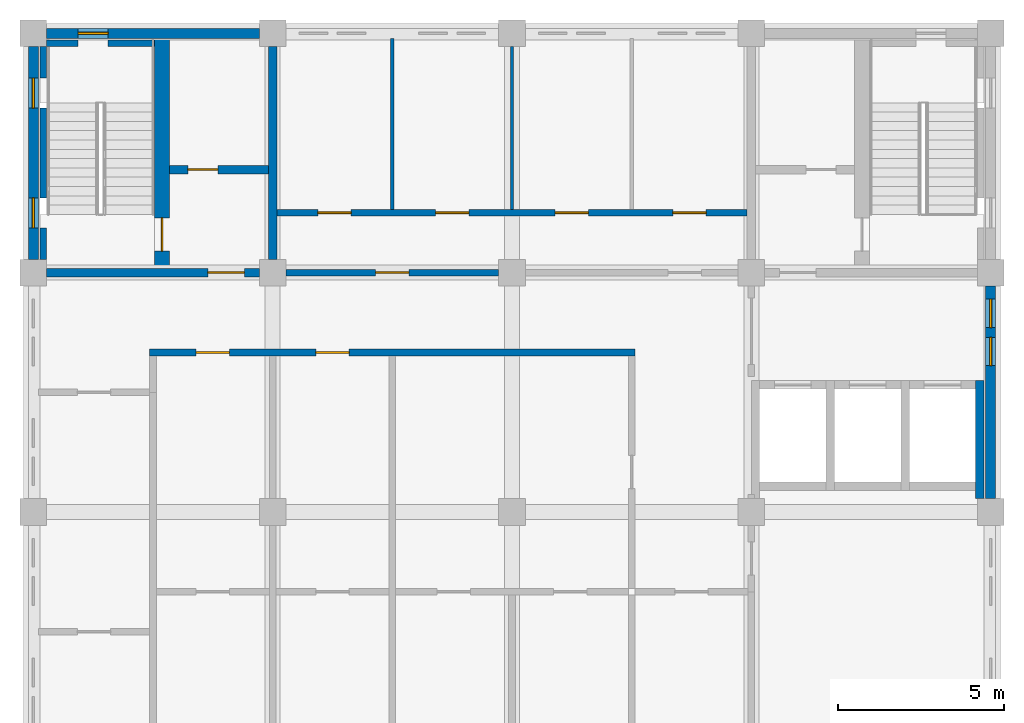
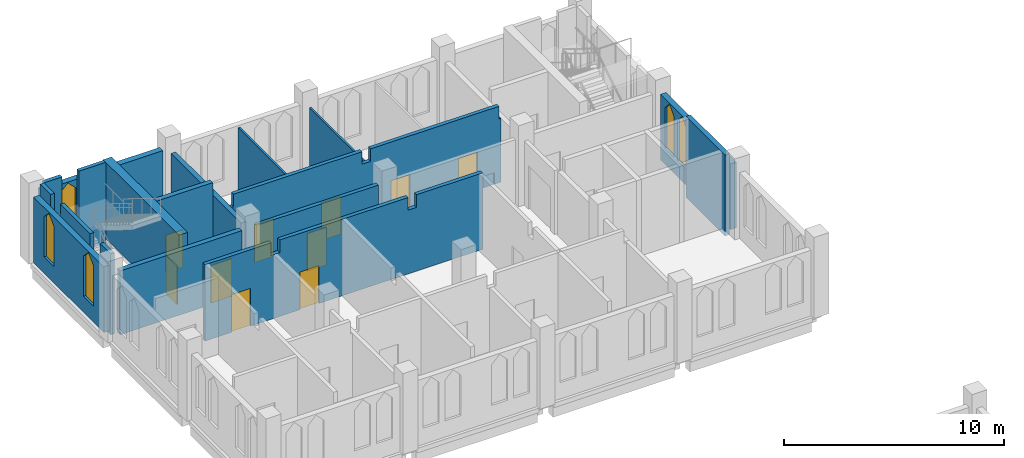
# One storey, part 7 of 11: 18 walls, 10 doors, 5 windows, 15 openings.
"""IFC4 building model written with IfcOpenShell, lengths in metres."""

import ifcopenshell
import ifcopenshell.guid

model = None  # the IFC model being written
_history = None  # IfcOwnerHistory: only IFC2X3 demands one
_inside = {}  # id of a spatial element -> (the spatial element, [elements in it])
_under = {}  # id of a project, library or spatial element -> (it, [spatial elements below it])
_declared = {}  # id of a project -> (the project, [libraries it declares])
_typed = {}  # id of a type object -> (the type object, [elements of that type])
_made_of = {}  # id of a material, layer set ... -> (it, [elements and type objects made of it])


def new_model(schema):
    """Start an empty IFC model of exactly this schema.

    Asked for "IFC4X3", IfcOpenShell would pick the latest addendum, in which some entities
    have other attributes; the version numbers below select the first issue.
    IFC2X3 requires an IfcOwnerHistory on every rooted entity: one is made here for all.
    """
    global model, _history
    if schema == "IFC4X3":
        model = ifcopenshell.file(schema_version=(4, 3, 0, 0))
    else:
        model = ifcopenshell.file(schema=schema)
    _inside.clear()
    _under.clear()
    _declared.clear()
    _typed.clear()
    _made_of.clear()
    _history = None
    if model.schema == "IFC2X3":
        org = make("IfcOrganization", Name="unknown")
        user = make(
            "IfcPersonAndOrganization",
            ThePerson=make("IfcPerson", FamilyName="unknown"),
            TheOrganization=org,
        )
        app = make(
            "IfcApplication",
            ApplicationDeveloper=org,
            Version="unknown",
            ApplicationFullName="unknown",
            ApplicationIdentifier="unknown",
        )
        _history = make(
            "IfcOwnerHistory",
            OwningUser=user,
            OwningApplication=app,
            ChangeAction="ADDED",
            CreationDate=0,
        )
    return model


def make(cls, **values):
    """One entity of the class cls with the attributes given. An attribute that is None is left unset."""
    return model.create_entity(
        cls, **{name: value for name, value in values.items() if value is not None}
    )


def rooted(cls, **values):
    """An entity with a GlobalId (a new one), such as an element, a storey or a relation."""
    return make(cls, GlobalId=ifcopenshell.guid.new(), OwnerHistory=_history, **values)


def si_unit(unit_type, name, prefix=None):
    """IfcSIUnit, for example si_unit("LENGTHUNIT", "METRE", prefix="MILLI")."""
    return make("IfcSIUnit", UnitType=unit_type, Prefix=prefix, Name=name)


def assignment(units):
    """IfcUnitAssignment: the units of a project."""
    return None if units is None else make("IfcUnitAssignment", Units=units)


def point(xyz):
    """IfcCartesianPoint."""
    return None if xyz is None else make("IfcCartesianPoint", Coordinates=xyz)


def direction(xyz):
    """IfcDirection."""
    return None if xyz is None else make("IfcDirection", DirectionRatios=xyz)


def frame(location, z_axis=None, x_axis=None):
    """IfcAxis2Placement3D, a coordinate frame: its origin and axes. An axis left out is left unset."""
    return make(
        "IfcAxis2Placement3D",
        Location=point(location),
        Axis=direction(z_axis),
        RefDirection=direction(x_axis),
    )


def frame_2d(location, x_axis=None):
    """IfcAxis2Placement2D, a coordinate frame in the plane: its origin and x axis."""
    return make(
        "IfcAxis2Placement2D", Location=point(location), RefDirection=direction(x_axis)
    )


def origin():
    """The frame at (0, 0, 0) with its axes left unset."""
    return frame((0.0, 0.0, 0.0))


def place(relative_to, where):
    """IfcLocalPlacement: puts the frame where relative to a parent placement (None: the world)."""
    return make(
        "IfcLocalPlacement", PlacementRelTo=relative_to, RelativePlacement=where
    )


def context(
    kind, dimensions, precision=None, world=None, true_north=None, identifier=None
):
    """IfcGeometricRepresentationContext, for example the 3D "Model" context."""
    return make(
        "IfcGeometricRepresentationContext",
        ContextIdentifier=identifier,
        ContextType=kind,
        CoordinateSpaceDimension=dimensions,
        Precision=precision,
        WorldCoordinateSystem=world,
        TrueNorth=true_north,
    )


def subcontext(parent, identifier, kind, view, scale=None):
    """IfcGeometricRepresentationSubContext, for example "Body" below "Model"."""
    return make(
        "IfcGeometricRepresentationSubContext",
        ContextIdentifier=identifier,
        ContextType=kind,
        ParentContext=parent,
        TargetScale=scale,
        TargetView=view,
    )


def project(units=None, contexts=None):
    """IfcProject with its units and contexts."""
    return rooted(
        "IfcProject",
        Name="project",
        RepresentationContexts=contexts,
        UnitsInContext=assignment(units),
    )


def spatial(cls, under=None, at=None, **own):
    """A site, building, storey or space (cls), placed at a placement, below another one or the project."""
    s = rooted(cls, ObjectPlacement=at, **own)
    if under is not None:
        _under.setdefault(under.id(), (under, []))[1].append(s)
    return s


def polyline(points):
    """IfcPolyline through the points."""
    return make("IfcPolyline", Points=[point(p) for p in points])


def profile(cls, at=None, kind="AREA", **sizes):
    """A parametric profile (cls). Its sizes go by their IFC names, for example OverallWidth=200.0."""
    return make(cls, ProfileType=kind, Position=at, **sizes)


def rectangle(**sizes):
    """IfcRectangleProfileDef."""
    return profile("IfcRectangleProfileDef", **sizes)


def outline(outer, holes=None, kind="AREA"):
    """IfcArbitraryClosedProfileDef: a profile drawn as a closed curve; with holes, ...WithVoids."""
    if holes is None:
        return make("IfcArbitraryClosedProfileDef", ProfileType=kind, OuterCurve=outer)
    return make(
        "IfcArbitraryProfileDefWithVoids",
        ProfileType=kind,
        OuterCurve=outer,
        InnerCurves=holes,
    )


def extrude(swept, where, along, depth):
    """IfcExtrudedAreaSolid: the profile swept, set in the frame where, extruded along a direction by depth."""
    return make(
        "IfcExtrudedAreaSolid",
        SweptArea=swept,
        Position=where,
        ExtrudedDirection=direction(along),
        Depth=depth,
    )


def shape(context_of_items, identifier, shape_type, items):
    """IfcShapeRepresentation: the items that make up one representation, for example the "Body"."""
    return make(
        "IfcShapeRepresentation",
        ContextOfItems=context_of_items,
        RepresentationIdentifier=identifier,
        RepresentationType=shape_type,
        Items=items,
    )


def material(Name=None, Category=None):
    """IfcMaterial."""
    return make("IfcMaterial", Name=Name, Category=Category)


def layer(
    of_material, thickness, ventilated=None, Name=None, Category=None, Priority=None
):
    """IfcMaterialLayer: one layer of a wall or slab, of a material (None: an air gap)."""
    return make(
        "IfcMaterialLayer",
        Material=of_material,
        LayerThickness=thickness,
        IsVentilated=ventilated,
        Name=Name,
        Category=Category,
        Priority=Priority,
    )


def layer_set(layers, Name=None):
    """IfcMaterialLayerSet."""
    return make("IfcMaterialLayerSet", MaterialLayers=layers, LayerSetName=Name)


def made_of(thing, what):
    """Note that an element or type object is made of a material, layer set ...; save() writes the relation."""
    if what is not None:
        _made_of.setdefault(what.id(), (what, []))[1].append(thing)
    return thing


def type_object(cls, material=None, **own):
    """A type object (cls), such as IfcWallType, which elements share."""
    return made_of(rooted(cls, **own), material)


def element(
    cls,
    number,
    at=None,
    inside=None,
    cuts=None,
    type_object=None,
    material=None,
    context=None,
    identifier="Body",
    shape_type=None,
    held_by="IfcProductDefinitionShape",
    body=None,
    shapes=None,
    **own,
):
    """One element of the class cls, such as IfcWall. Its Tag is "e" and its number.

    at: its placement. inside: the storey or other place that contains it. cuts: it is an
    opening in that element (IfcRelVoidsElement). A single representation is given by context,
    identifier, shape_type and body (its items); several are given by shapes. held_by: the class
    of the entity that holds the representations. save() writes the other relations.
    """
    e = rooted(cls, Tag="e%d" % number, ObjectPlacement=at, **own)
    if body is not None:
        shapes = [shape(context, identifier, shape_type, body)]
    if shapes is not None:
        e.Representation = make(held_by, Representations=shapes)
    if inside is not None:
        _inside.setdefault(inside.id(), (inside, []))[1].append(e)
    if cuts is not None:
        rooted(
            "IfcRelVoidsElement", RelatingBuildingElement=cuts, RelatedOpeningElement=e
        )
    if type_object is not None:
        _typed.setdefault(type_object.id(), (type_object, []))[1].append(e)
    return made_of(e, material)


def fill(opening, filler):
    """IfcRelFillsElement: the door or window that sits in an opening."""
    return rooted(
        "IfcRelFillsElement",
        RelatingOpeningElement=opening,
        RelatedBuildingElement=filler,
    )


def aggregate(whole, parts):
    """IfcRelAggregates: a whole, such as a stair, and the parts it consists of."""
    return rooted("IfcRelAggregates", RelatingObject=whole, RelatedObjects=parts)


def save(model, path):
    """Write the relations noted so far, then the file.

    IfcRelAggregates (storeys below a building ...), IfcRelContainedInSpatialStructure (elements
    in a storey), IfcRelDefinesByType, IfcRelAssociatesMaterial and IfcRelDeclares: one each for
    every whole, place, type object, material and project.
    """
    for whole, parts in _under.values():
        aggregate(whole, parts)
    for where, things in _inside.values():
        rooted(
            "IfcRelContainedInSpatialStructure",
            RelatedElements=things,
            RelatingStructure=where,
        )
    for kind, things in _typed.values():
        rooted("IfcRelDefinesByType", RelatedObjects=things, RelatingType=kind)
    for what, things in _made_of.values():
        rooted("IfcRelAssociatesMaterial", RelatedObjects=things, RelatingMaterial=what)
    for by, libraries in _declared.values():
        rooted("IfcRelDeclares", RelatingContext=by, RelatedDefinitions=libraries)
    model.write(path)


model = new_model("IFC4")

# Units and contexts
model_context = context("Model", 3, precision=1e-05, world=origin(), true_north=direction((0.0, 1.0)))
body_context = subcontext(model_context, "Body", "Model", "MODEL_VIEW")
ifc_project = project(units=[si_unit("LENGTHUNIT", "METRE"), si_unit("AREAUNIT", "SQUARE_METRE"), si_unit("VOLUMEUNIT", "CUBIC_METRE"), si_unit("PLANEANGLEUNIT", "RADIAN"), si_unit("MASSUNIT", "GRAM", prefix="KILO")], contexts=[model_context])

# Site, building, storey
site_placement = place(None, origin())
site = spatial("IfcSite", under=ifc_project, at=site_placement, CompositionType="ELEMENT")
building_placement = place(site_placement, origin())
building = spatial("IfcBuilding", under=site, at=building_placement, Name="Silangan Lancet Faculty of Sciences", CompositionType="ELEMENT")
storey_placement = place(building_placement, frame((0.0, 0.0, 45.300048828125)))
storey = spatial("IfcBuildingStorey", under=building, at=storey_placement, Name="L09", CompositionType="ELEMENT", Elevation=45.300048828125)

# Wall, openings, windows
ifc_material_1 = material(Name="Concrete C40/50 precast", Category="concrete")
ifc_layer_1 = layer(ifc_material_1, 0.300048828125)
ifc_layer_set_1 = layer_set([ifc_layer_1], Name="Concrete C40/50 precast")
wall_type_1 = type_object("IfcWallType", Name="EW1 Precast cladding wall", PredefinedType="STANDARD", material=ifc_layer_set_1)
wall_1_placement = place(storey_placement, frame((28.800048828125, 43.60009765625, 0.0), z_axis=(0.0, 0.0, 1.0), x_axis=(0.0, 1.0, 0.0)))
wall_1 = element("IfcWall", 1, at=wall_1_placement, inside=storey, type_object=wall_type_1, Name="EW-L09-E-NT-01", PredefinedType="STANDARD", context=body_context, shape_type="SweptSolid", body=[
    extrude(rectangle(XDim=6.39990234375, YDim=0.300048828125, at=frame_2d((3.199951171875, 0.0))), origin(), (0.0, 0.0, 1.0), 3.64990234375),
])
opening_1_placement = place(wall_1_placement, frame((4.0, 0.0, 0.89990234375)))
opening_1 = element("IfcOpeningElement", 2, at=opening_1_placement, cuts=wall_1, Name="Opening W21", PredefinedType="OPENING", context=body_context, shape_type="SweptSolid", body=[
    extrude(outline(polyline([(0.0, 0.0), (0.85009765625, 0.0), (0.85009765625, 2.25), (0.425048828125, 2.699951171875), (0.0, 2.25), (0.0, 0.0)])), frame((0.0, 0.159912109375, 0.0), z_axis=(0.0, -1.0, 0.0), x_axis=(1.0, 0.0, 0.0)), (0.0, 0.0, 1.0), 0.320068359375),
])
opening_2_placement = place(wall_1_placement, frame((5.14990234375, 0.0, 0.89990234375)))
opening_2 = element("IfcOpeningElement", 3, at=opening_2_placement, cuts=wall_1, Name="Opening W21", PredefinedType="OPENING", context=body_context, shape_type="SweptSolid", body=[
    extrude(outline(polyline([(0.0, 0.0), (0.85009765625, 0.0), (0.85009765625, 2.25), (0.425048828125, 2.699951171875), (0.0, 2.25), (0.0, 0.0)])), frame((0.0, 0.159912109375, 0.0), z_axis=(0.0, -1.0, 0.0), x_axis=(1.0, 0.0, 0.0)), (0.0, 0.0, 1.0), 0.320068359375),
])
ifc_material_2 = material(Name="Aluminium frame, laminated double glazing", Category="aluminium")
window_type_1 = type_object("IfcWindowType", Name="W21 Lancet window 850 x 2700", PartitioningType="SINGLE_PANEL", PredefinedType="WINDOW", material=ifc_material_2)
window_1_placement = place(opening_1_placement, origin())
window_1 = element("IfcWindow", 4, at=window_1_placement, inside=storey, type_object=window_type_1, Name="WIN-L09-E-NT-01b1", OverallHeight=2.699951171875, OverallWidth=0.85009765625, PartitioningType="SINGLE_PANEL", PredefinedType="WINDOW", context=body_context, shape_type="SweptSolid", body=[
    extrude(outline(polyline([(0.0, 0.0), (0.85009765625, 0.0), (0.85009765625, 2.25), (0.425048828125, 2.699951171875), (0.0, 2.25), (0.0, 0.0)])), frame((0.0, 0.030029296875, 0.0), z_axis=(0.0, -1.0, 0.0), x_axis=(1.0, 0.0, 0.0)), (0.0, 0.0, 1.0), 0.06005859375),
])
fill(opening_1, window_1)
window_2_placement = place(opening_2_placement, origin())
window_2 = element("IfcWindow", 5, at=window_2_placement, inside=storey, type_object=window_type_1, Name="WIN-L09-E-NT-01b2", OverallHeight=2.699951171875, OverallWidth=0.85009765625, PartitioningType="SINGLE_PANEL", PredefinedType="WINDOW", context=body_context, shape_type="SweptSolid", body=[
    extrude(outline(polyline([(0.0, 0.0), (0.85009765625, 0.0), (0.85009765625, 2.25), (0.425048828125, 2.699951171875), (0.0, 2.25), (0.0, 0.0)])), frame((0.0, 0.030029296875, 0.0), z_axis=(0.0, -1.0, 0.0), x_axis=(1.0, 0.0, 0.0)), (0.0, 0.0, 1.0), 0.06005859375),
])
fill(opening_2, window_2)

ifc_material_3 = material(Name="Concrete C40/50 precast", Category="concrete")
ifc_layer_2 = layer(ifc_material_3, 0.300048828125)
ifc_layer_set_2 = layer_set([ifc_layer_2], Name="Concrete C40/50 precast")
wall_type_2 = type_object("IfcWallType", Name="EW2 Turret enclosure wall", PredefinedType="STANDARD", material=ifc_layer_set_2)
wall_2_placement = place(storey_placement, frame((0.0, 50.800048828125, 0.0), z_axis=(0.0, 0.0, 1.0), x_axis=(0.0, 1.0, 0.0)))
wall_2 = element("IfcWall", 6, at=wall_2_placement, inside=storey, type_object=wall_type_2, Name="EW-L09-W-NT-02", PredefinedType="STANDARD", context=body_context, shape_type="SweptSolid", body=[
    extrude(rectangle(XDim=6.39990234375, YDim=0.300048828125, at=frame_2d((3.199951171875, 0.0))), origin(), (0.0, 0.0, 1.0), 3.64990234375),
])
opening_3_placement = place(wall_2_placement, frame((0.949951171875, 0.0, 0.89990234375)))
opening_3 = element("IfcOpeningElement", 7, at=opening_3_placement, cuts=wall_2, Name="Opening W22", PredefinedType="OPENING", context=body_context, shape_type="SweptSolid", body=[
    extrude(outline(polyline([(0.0, 0.0), (0.89990234375, 0.0), (0.89990234375, 2.25), (0.449951171875, 2.699951171875), (0.0, 2.25), (0.0, 0.0)])), frame((0.0, 0.159912109375, 0.0), z_axis=(0.0, -1.0, 0.0), x_axis=(1.0, 0.0, 0.0)), (0.0, 0.0, 1.0), 0.320068359375),
])
opening_4_placement = place(wall_2_placement, frame((4.550048828125, 0.0, 0.89990234375)))
opening_4 = element("IfcOpeningElement", 8, at=opening_4_placement, cuts=wall_2, Name="Opening W22", PredefinedType="OPENING", context=body_context, shape_type="SweptSolid", body=[
    extrude(outline(polyline([(0.0, 0.0), (0.89990234375, 0.0), (0.89990234375, 2.25), (0.449951171875, 2.699951171875), (0.0, 2.25), (0.0, 0.0)])), frame((0.0, 0.159912109375, 0.0), z_axis=(0.0, -1.0, 0.0), x_axis=(1.0, 0.0, 0.0)), (0.0, 0.0, 1.0), 0.320068359375),
])
ifc_material_4 = material(Name="Aluminium frame, laminated double glazing", Category="aluminium")
window_type_2 = type_object("IfcWindowType", Name="W22 Lancet window 900 x 2700", PartitioningType="SINGLE_PANEL", PredefinedType="WINDOW", material=ifc_material_4)
window_3_placement = place(opening_3_placement, origin())
window_3 = element("IfcWindow", 9, at=window_3_placement, inside=storey, type_object=window_type_2, Name="WIN-L09-W-NT-02a", OverallHeight=2.699951171875, OverallWidth=0.89990234375, PartitioningType="SINGLE_PANEL", PredefinedType="WINDOW", context=body_context, shape_type="SweptSolid", body=[
    extrude(outline(polyline([(0.0, 0.0), (0.89990234375, 0.0), (0.89990234375, 2.25), (0.449951171875, 2.699951171875), (0.0, 2.25), (0.0, 0.0)])), frame((0.0, 0.030029296875, 0.0), z_axis=(0.0, -1.0, 0.0), x_axis=(1.0, 0.0, 0.0)), (0.0, 0.0, 1.0), 0.06005859375),
])
fill(opening_3, window_3)
window_4_placement = place(opening_4_placement, origin())
window_4 = element("IfcWindow", 10, at=window_4_placement, inside=storey, type_object=window_type_2, Name="WIN-L09-W-NT-02b", OverallHeight=2.699951171875, OverallWidth=0.89990234375, PartitioningType="SINGLE_PANEL", PredefinedType="WINDOW", context=body_context, shape_type="SweptSolid", body=[
    extrude(outline(polyline([(0.0, 0.0), (0.89990234375, 0.0), (0.89990234375, 2.25), (0.449951171875, 2.699951171875), (0.0, 2.25), (0.0, 0.0)])), frame((0.0, 0.030029296875, 0.0), z_axis=(0.0, -1.0, 0.0), x_axis=(1.0, 0.0, 0.0)), (0.0, 0.0, 1.0), 0.06005859375),
])
fill(opening_4, window_4)

# Wall, opening, window
wall_3_placement = place(storey_placement, frame((6.800048828125, 57.60009765625, 0.0), z_axis=(0.0, 0.0, 1.0), x_axis=(-1.0, 0.0, 0.0)))
wall_3 = element("IfcWall", 11, at=wall_3_placement, inside=storey, type_object=wall_type_2, Name="EW-L09-N-NT-03", PredefinedType="STANDARD", context=body_context, shape_type="SweptSolid", body=[
    extrude(rectangle(XDim=6.400146484375, YDim=0.300048828125, at=frame_2d((3.2001953125, 0.0))), origin(), (0.0, 0.0, 1.0), 3.64990234375),
])
opening_5_placement = place(wall_3_placement, frame((4.550048828125, 0.0, 0.89990234375)))
opening_5 = element("IfcOpeningElement", 12, at=opening_5_placement, cuts=wall_3, Name="Opening W22", PredefinedType="OPENING", context=body_context, shape_type="SweptSolid", body=[
    extrude(outline(polyline([(0.0, 0.0), (0.89990234375, 0.0), (0.89990234375, 2.25), (0.449951171875, 2.699951171875), (0.0, 2.25), (0.0, 0.0)])), frame((0.0, 0.159912109375, 0.0), z_axis=(0.0, -1.0, 0.0), x_axis=(1.0, 0.0, 0.0)), (0.0, 0.0, 1.0), 0.320068359375),
])
window_5_placement = place(opening_5_placement, origin())
window_5 = element("IfcWindow", 13, at=window_5_placement, inside=storey, type_object=window_type_2, Name="WIN-L09-N-NT-03b", OverallHeight=2.699951171875, OverallWidth=0.89990234375, PartitioningType="SINGLE_PANEL", PredefinedType="WINDOW", context=body_context, shape_type="SweptSolid", body=[
    extrude(outline(polyline([(0.0, 0.0), (0.89990234375, 0.0), (0.89990234375, 2.25), (0.449951171875, 2.699951171875), (0.0, 2.25), (0.0, 0.0)])), frame((0.0, 0.030029296875, 0.0), z_axis=(0.0, -1.0, 0.0), x_axis=(1.0, 0.0, 0.0)), (0.0, 0.0, 1.0), 0.06005859375),
])
fill(opening_5, window_5)

# Wall, openings, doors
ifc_material_5 = material(Name="Hollow block masonry fm 7 MPa", Category="masonry")
ifc_layer_3 = layer(ifc_material_5, 0.199951171875)
ifc_layer_set_3 = layer_set([ifc_layer_3], Name="Hollow block masonry fm 7 MPa")
wall_type_3 = type_object("IfcWallType", Name="Interior wall PW1 Corridor wall CHB 200", PredefinedType="PARTITIONING", material=ifc_layer_set_3)
wall_4_placement = place(storey_placement, frame((3.5, 48.0, 0.0), z_axis=(0.0, 0.0, 1.0), x_axis=(1.0, 0.0, 0.0)))
wall_4 = element("IfcWall", 14, at=wall_4_placement, inside=storey, type_object=wall_type_3, Name="Corridor wall CHB 200", PredefinedType="PARTITIONING", context=body_context, shape_type="SweptSolid", body=[
    extrude(outline(polyline([(0.0, 0.0), (14.60009765625, 0.0), (14.60009765625, 4.25), (11.125, 4.25), (11.125, 3.550048828125), (10.675048828125, 3.550048828125), (10.675048828125, 4.25), (3.925048828125, 4.25), (3.925048828125, 3.550048828125), (3.47509765625, 3.550048828125), (3.47509765625, 4.25), (0.0, 4.25), (0.0, 0.0)])), frame((0.0, 0.10009765625, 0.0), z_axis=(0.0, -1.0, 0.0), x_axis=(1.0, 0.0, 0.0)), (0.0, 0.0, 1.0), 0.199951171875),
])
opening_6_placement = place(wall_4_placement, frame((1.39990234375, 0.0, 0.0)))
opening_6 = element("IfcOpeningElement", 15, at=opening_6_placement, cuts=wall_4, Name="Opening L09-026", PredefinedType="OPENING", context=body_context, shape_type="SweptSolid", body=[
    extrude(rectangle(XDim=1.0, YDim=2.10009765625, at=frame_2d((0.5, 1.050048828125))), frame((0.0, 0.10986328125, 0.0), z_axis=(0.0, -1.0, 0.0), x_axis=(1.0, 0.0, 0.0)), (0.0, 0.0, 1.0), 0.219970703125),
])
opening_7_placement = place(wall_4_placement, frame((5.0, 0.0, 0.0)))
opening_7 = element("IfcOpeningElement", 16, at=opening_7_placement, cuts=wall_4, Name="Opening L09-028", PredefinedType="OPENING", context=body_context, shape_type="SweptSolid", body=[
    extrude(rectangle(XDim=1.0, YDim=2.10009765625, at=frame_2d((0.5, 1.050048828125))), frame((0.0, 0.10986328125, 0.0), z_axis=(0.0, -1.0, 0.0), x_axis=(1.0, 0.0, 0.0)), (0.0, 0.0, 1.0), 0.219970703125),
])
ifc_material_6 = material(Name="Steel fire door set", Category="steel")
door_type_1 = type_object("IfcDoorType", Name="Door D1 Single leaf fire door 1000 x 2100", OperationType="SINGLE_SWING_LEFT", PredefinedType="DOOR", material=ifc_material_6)
door_1_placement = place(opening_6_placement, frame((1.0, 0.0, 0.0), z_axis=(0.0, 0.0, 1.0), x_axis=(-1.0, 0.0, 0.0)))
door_1 = element("IfcDoor", 17, at=door_1_placement, inside=storey, type_object=door_type_1, Name="Single leaf fire door 1000 x 2100", OperationType="SINGLE_SWING_LEFT", OverallHeight=2.10009765625, OverallWidth=1.0, PredefinedType="DOOR", context=body_context, shape_type="SweptSolid", body=[
    extrude(rectangle(XDim=1.0, YDim=2.10009765625, at=frame_2d((0.5, 1.050048828125))), frame((0.0, 0.025146484375, 0.0), z_axis=(0.0, -1.0, 0.0), x_axis=(1.0, 0.0, 0.0)), (0.0, 0.0, 1.0), 0.050048828125),
])
fill(opening_6, door_1)
door_2_placement = place(opening_7_placement, frame((1.0, 0.0, 0.0), z_axis=(0.0, 0.0, 1.0), x_axis=(-1.0, 0.0, 0.0)))
door_2 = element("IfcDoor", 18, at=door_2_placement, inside=storey, type_object=door_type_1, Name="Single leaf fire door 1000 x 2100", OperationType="SINGLE_SWING_LEFT", OverallHeight=2.10009765625, OverallWidth=1.0, PredefinedType="DOOR", context=body_context, shape_type="SweptSolid", body=[
    extrude(rectangle(XDim=1.0, YDim=2.10009765625, at=frame_2d((0.5, 1.050048828125))), frame((0.0, 0.025146484375, 0.0), z_axis=(0.0, -1.0, 0.0), x_axis=(1.0, 0.0, 0.0)), (0.0, 0.0, 1.0), 0.050048828125),
])
fill(opening_7, door_2)

# Wall, opening, door
wall_5_placement = place(storey_placement, frame((7.60009765625, 50.39990234375, 0.0), z_axis=(0.0, 0.0, 1.0), x_axis=(1.0, 0.0, 0.0)))
wall_5 = element("IfcWall", 19, at=wall_5_placement, inside=storey, type_object=wall_type_3, Name="Corridor wall CHB 200", PredefinedType="PARTITIONING", context=body_context, shape_type="SweptSolid", body=[
    extrude(rectangle(XDim=6.39990234375, YDim=0.199951171875, at=frame_2d((3.199951171875, 0.0))), origin(), (0.0, 0.0, 1.0), 3.550048828125),
])
opening_8_placement = place(wall_5_placement, frame((2.699951171875, 0.0, 0.0)))
opening_8 = element("IfcOpeningElement", 20, at=opening_8_placement, cuts=wall_5, Name="Opening L09-005", PredefinedType="OPENING", context=body_context, shape_type="SweptSolid", body=[
    extrude(rectangle(XDim=1.0, YDim=2.10009765625, at=frame_2d((0.5, 1.050048828125))), frame((0.0, 0.10986328125, 0.0), z_axis=(0.0, -1.0, 0.0), x_axis=(1.0, 0.0, 0.0)), (0.0, 0.0, 1.0), 0.219970703125),
])
door_3_placement = place(opening_8_placement, origin())
door_3 = element("IfcDoor", 21, at=door_3_placement, inside=storey, type_object=door_type_1, Name="Single leaf fire door 1000 x 2100", OperationType="SINGLE_SWING_RIGHT", OverallHeight=2.10009765625, OverallWidth=1.0, PredefinedType="DOOR", context=body_context, shape_type="SweptSolid", body=[
    extrude(rectangle(XDim=1.0, YDim=2.10009765625, at=frame_2d((0.5, 1.050048828125))), frame((0.0, 0.02490234375, 0.0), z_axis=(0.0, -1.0, 0.0), x_axis=(1.0, 0.0, 0.0)), (0.0, 0.0, 1.0), 0.050048828125),
])
fill(opening_8, door_3)

# Wall, openings, doors
wall_6_placement = place(storey_placement, frame((7.324951171875, 52.199951171875, 0.0), z_axis=(0.0, 0.0, 1.0), x_axis=(1.0, 0.0, 0.0)))
wall_6 = element("IfcWall", 22, at=wall_6_placement, inside=storey, type_object=wall_type_3, Name="Corridor wall CHB 200", PredefinedType="PARTITIONING", context=body_context, shape_type="SweptSolid", body=[
    extrude(outline(polyline([(0.0, 0.0), (14.150146484375, 0.0), (14.150146484375, 3.550048828125), (14.050048828125, 3.550048828125), (14.050048828125, 4.25), (7.300048828125, 4.25), (7.300048828125, 3.550048828125), (6.85009765625, 3.550048828125), (6.85009765625, 4.25), (0.10009765625, 4.25), (0.10009765625, 3.550048828125), (0.0, 3.550048828125), (0.0, 0.0)])), frame((0.0, 0.10009765625, 0.0), z_axis=(0.0, -1.0, 0.0), x_axis=(1.0, 0.0, 0.0)), (0.0, 0.0, 1.0), 0.199951171875),
])
opening_9_placement = place(wall_6_placement, frame((1.237548828125, 0.0, 0.0)))
opening_9 = element("IfcOpeningElement", 23, at=opening_9_placement, cuts=wall_6, Name="Opening L09-018", PredefinedType="OPENING", context=body_context, shape_type="SweptSolid", body=[
    extrude(rectangle(XDim=1.0, YDim=2.10009765625, at=frame_2d((0.5, 1.050048828125))), frame((0.0, 0.10986328125, 0.0), z_axis=(0.0, -1.0, 0.0), x_axis=(1.0, 0.0, 0.0)), (0.0, 0.0, 1.0), 0.219970703125),
])
opening_10_placement = place(wall_6_placement, frame((4.77490234375, 0.0, 0.0)))
opening_10 = element("IfcOpeningElement", 24, at=opening_10_placement, cuts=wall_6, Name="Opening L09-019", PredefinedType="OPENING", context=body_context, shape_type="SweptSolid", body=[
    extrude(rectangle(XDim=1.0, YDim=2.10009765625, at=frame_2d((0.5, 1.050048828125))), frame((0.0, 0.10986328125, 0.0), z_axis=(0.0, -1.0, 0.0), x_axis=(1.0, 0.0, 0.0)), (0.0, 0.0, 1.0), 0.219970703125),
])
opening_11_placement = place(wall_6_placement, frame((8.375, 0.0, 0.0)))
opening_11 = element("IfcOpeningElement", 25, at=opening_11_placement, cuts=wall_6, Name="Opening L09-020", PredefinedType="OPENING", context=body_context, shape_type="SweptSolid", body=[
    extrude(rectangle(XDim=1.0, YDim=2.10009765625, at=frame_2d((0.5, 1.050048828125))), frame((0.0, 0.10986328125, 0.0), z_axis=(0.0, -1.0, 0.0), x_axis=(1.0, 0.0, 0.0)), (0.0, 0.0, 1.0), 0.219970703125),
])
opening_12_placement = place(wall_6_placement, frame((11.91259765625, 0.0, 0.0)))
opening_12 = element("IfcOpeningElement", 26, at=opening_12_placement, cuts=wall_6, Name="Opening L09-021", PredefinedType="OPENING", context=body_context, shape_type="SweptSolid", body=[
    extrude(rectangle(XDim=1.0, YDim=2.10009765625, at=frame_2d((0.5, 1.050048828125))), frame((0.0, 0.10986328125, 0.0), z_axis=(0.0, -1.0, 0.0), x_axis=(1.0, 0.0, 0.0)), (0.0, 0.0, 1.0), 0.219970703125),
])
door_4_placement = place(opening_9_placement, origin())
door_4 = element("IfcDoor", 27, at=door_4_placement, inside=storey, type_object=door_type_1, Name="Single leaf fire door 1000 x 2100", OperationType="SINGLE_SWING_RIGHT", OverallHeight=2.10009765625, OverallWidth=1.0, PredefinedType="DOOR", context=body_context, shape_type="SweptSolid", body=[
    extrude(rectangle(XDim=1.0, YDim=2.10009765625, at=frame_2d((0.5, 1.050048828125))), frame((0.0, 0.02490234375, 0.0), z_axis=(0.0, -1.0, 0.0), x_axis=(1.0, 0.0, 0.0)), (0.0, 0.0, 1.0), 0.050048828125),
])
fill(opening_9, door_4)
door_5_placement = place(opening_10_placement, origin())
door_5 = element("IfcDoor", 28, at=door_5_placement, inside=storey, type_object=door_type_1, Name="Single leaf fire door 1000 x 2100", OperationType="SINGLE_SWING_LEFT", OverallHeight=2.10009765625, OverallWidth=1.0, PredefinedType="DOOR", context=body_context, shape_type="SweptSolid", body=[
    extrude(rectangle(XDim=1.0, YDim=2.10009765625, at=frame_2d((0.5, 1.050048828125))), frame((0.0, 0.02490234375, 0.0), z_axis=(0.0, -1.0, 0.0), x_axis=(1.0, 0.0, 0.0)), (0.0, 0.0, 1.0), 0.050048828125),
])
fill(opening_10, door_5)
door_6_placement = place(opening_11_placement, origin())
door_6 = element("IfcDoor", 29, at=door_6_placement, inside=storey, type_object=door_type_1, Name="Single leaf fire door 1000 x 2100", OperationType="SINGLE_SWING_RIGHT", OverallHeight=2.10009765625, OverallWidth=1.0, PredefinedType="DOOR", context=body_context, shape_type="SweptSolid", body=[
    extrude(rectangle(XDim=1.0, YDim=2.10009765625, at=frame_2d((0.5, 1.050048828125))), frame((0.0, 0.02490234375, 0.0), z_axis=(0.0, -1.0, 0.0), x_axis=(1.0, 0.0, 0.0)), (0.0, 0.0, 1.0), 0.050048828125),
])
fill(opening_11, door_6)
door_7_placement = place(opening_12_placement, origin())
door_7 = element("IfcDoor", 30, at=door_7_placement, inside=storey, type_object=door_type_1, Name="Single leaf fire door 1000 x 2100", OperationType="SINGLE_SWING_LEFT", OverallHeight=2.10009765625, OverallWidth=1.0, PredefinedType="DOOR", context=body_context, shape_type="SweptSolid", body=[
    extrude(rectangle(XDim=1.0, YDim=2.10009765625, at=frame_2d((0.5, 1.050048828125))), frame((0.0, 0.02490234375, 0.0), z_axis=(0.0, -1.0, 0.0), x_axis=(1.0, 0.0, 0.0)), (0.0, 0.0, 1.0), 0.050048828125),
])
fill(opening_12, door_7)

# Walls
ifc_material_7 = material(Name="Hollow block masonry fm 7 MPa", Category="masonry")
ifc_layer_4 = layer(ifc_material_7, 0.10009765625)
ifc_layer_set_4 = layer_set([ifc_layer_4], Name="Hollow block masonry fm 7 MPa")
wall_type_4 = type_object("IfcWallType", Name="Interior wall PW8 WC partition CHB 100", PredefinedType="PARTITIONING", material=ifc_layer_set_4)
wall_7_placement = place(storey_placement, frame((10.800048828125, 52.300048828125, 0.0), z_axis=(0.0, 0.0, 1.0), x_axis=(0.0, 1.0, 0.0)))
element("IfcWall", 31, at=wall_7_placement, inside=storey, type_object=wall_type_4, Name="WC partition CHB 100", PredefinedType="PARTITIONING", context=body_context, shape_type="SweptSolid", body=[
    extrude(rectangle(XDim=5.14990234375, YDim=0.10009765625, at=frame_2d((2.574951171875, 0.0))), origin(), (0.0, 0.0, 1.0), 3.550048828125),
])
wall_8_placement = place(storey_placement, frame((14.39990234375, 52.300048828125, 0.0), z_axis=(0.0, 0.0, 1.0), x_axis=(0.0, 1.0, 0.0)))
element("IfcWall", 32, at=wall_8_placement, inside=storey, type_object=wall_type_4, Name="WC partition CHB 100", PredefinedType="PARTITIONING", context=body_context, shape_type="SweptSolid", body=[
    extrude(rectangle(XDim=4.89990234375, YDim=0.10009765625, at=frame_2d((2.449951171875, 0.0))), origin(), (0.0, 0.0, 1.0), 3.550048828125),
])
ifc_material_8 = material(Name="Concrete C40/50", Category="concrete")
ifc_layer_5 = layer(ifc_material_8, 0.25)
ifc_layer_set_5 = layer_set([ifc_layer_5], Name="Concrete C40/50")
wall_type_5 = type_object("IfcWallType", Name="LIFT SHAFT WALL RC 250", PredefinedType="SHEAR", material=ifc_layer_set_5)
wall_9_placement = place(storey_placement, frame((28.47509765625, 43.60009765625, -0.25), z_axis=(0.0, 0.0, 1.0), x_axis=(0.0, 1.0, 0.0)))
element("IfcWall", 33, at=wall_9_placement, inside=storey, type_object=wall_type_5, Name="WALL-L09-NT-SW4", PredefinedType="SHEAR", context=body_context, shape_type="SweptSolid", body=[
    extrude(rectangle(XDim=3.5498046875, YDim=0.25, at=frame_2d((1.77490234375, 0.0))), origin(), (0.0, 0.0, 1.0), 4.5),
])

# Wall, opening, door
ifc_material_9 = material(Name="Concrete C40/50", Category="concrete")
ifc_layer_6 = layer(ifc_material_9, 0.449951171875)
ifc_layer_set_6 = layer_set([ifc_layer_6], Name="Concrete C40/50")
wall_type_6 = type_object("IfcWallType", Name="TURRET CORE WALL RC 450", PredefinedType="SHEAR", material=ifc_layer_set_6)
wall_10_placement = place(storey_placement, frame((3.875, 50.52490234375, 0.0), z_axis=(0.0, 0.0, 1.0), x_axis=(0.0, 1.0, 0.0)))
wall_10 = element("IfcWall", 34, at=wall_10_placement, inside=storey, type_object=wall_type_6, Name="WALL-L09-NT-A-WELL", PredefinedType="SHEAR", context=body_context, shape_type="SweptSolid", body=[
    extrude(rectangle(XDim=6.925048828125, YDim=0.449951171875, at=frame_2d((3.46240234375, 0.0))), origin(), (0.0, 0.0, 1.0), 4.25),
])
opening_13_placement = place(wall_10_placement, frame((0.52490234375, 0.0, 0.0)))
opening_13 = element("IfcOpeningElement", 35, at=opening_13_placement, cuts=wall_10, Name="Opening L09-701", PredefinedType="OPENING", context=body_context, shape_type="SweptSolid", body=[
    extrude(rectangle(XDim=1.0, YDim=2.10009765625, at=frame_2d((0.5, 1.050048828125))), frame((0.0, 0.23486328125, 0.0), z_axis=(0.0, -1.0, 0.0), x_axis=(1.0, 0.0, 0.0)), (0.0, 0.0, 1.0), 0.469970703125),
])
ifc_material_10 = material(Name="Steel fire door set", Category="steel")
door_type_2 = type_object("IfcDoorType", Name="D71 Stair enclosure door 1000x2100", OperationType="SINGLE_SWING_LEFT", PredefinedType="DOOR", material=ifc_material_10)
door_8_placement = place(opening_13_placement, origin())
door_8 = element("IfcDoor", 36, at=door_8_placement, inside=storey, type_object=door_type_2, Name="Stair enclosure door NT-A L09", OperationType="SINGLE_SWING_LEFT", OverallHeight=2.10009765625, OverallWidth=1.0, PredefinedType="DOOR", context=body_context, shape_type="SweptSolid", body=[
    extrude(rectangle(XDim=1.0, YDim=2.10009765625, at=frame_2d((0.5, 1.050048828125))), frame((0.0, 0.02490234375, 0.0), z_axis=(0.0, -1.0, 0.0), x_axis=(1.0, 0.0, 0.0)), (0.0, 0.0, 1.0), 0.050048828125),
])
fill(opening_13, door_8)

# Walls
ifc_material_11 = material(Name="Concrete C40/50", Category="concrete")
ifc_layer_7 = layer(ifc_material_11, 0.199951171875)
ifc_layer_set_7 = layer_set([ifc_layer_7], Name="Concrete C40/50")
wall_type_7 = type_object("IfcWallType", Name="TURRET LINING WALL RC 200", PredefinedType="SHEAR", material=ifc_layer_set_7)
wall_11_placement = place(storey_placement, frame((0.300048828125, 50.800048828125, -0.25), z_axis=(0.0, 0.0, 1.0), x_axis=(0.0, 1.0, 0.0)))
element("IfcWall", 37, at=wall_11_placement, inside=storey, type_object=wall_type_7, Name="WALL-L09-NT-A-WL", PredefinedType="SHEAR", context=body_context, shape_type="SweptSolid", body=[
    extrude(rectangle(XDim=0.949951171875, YDim=0.199951171875, at=frame_2d((0.47509765625, 0.0))), origin(), (0.0, 0.0, 1.0), 4.5),
])
wall_12_placement = place(storey_placement, frame((0.300048828125, 52.64990234375, -0.25), z_axis=(0.0, 0.0, 1.0), x_axis=(0.0, 1.0, 0.0)))
element("IfcWall", 38, at=wall_12_placement, inside=storey, type_object=wall_type_7, Name="WALL-L09-NT-A-WL-2", PredefinedType="SHEAR", context=body_context, shape_type="SweptSolid", body=[
    extrude(rectangle(XDim=2.7001953125, YDim=0.199951171875, at=frame_2d((1.35009765625, 0.0))), origin(), (0.0, 0.0, 1.0), 4.5),
])
wall_13_placement = place(storey_placement, frame((0.300048828125, 56.25, -0.25), z_axis=(0.0, 0.0, 1.0), x_axis=(0.0, 1.0, 0.0)))
element("IfcWall", 39, at=wall_13_placement, inside=storey, type_object=wall_type_7, Name="WALL-L09-NT-A-WL-3", PredefinedType="SHEAR", context=body_context, shape_type="SweptSolid", body=[
    extrude(rectangle(XDim=0.949951171875, YDim=0.199951171875, at=frame_2d((0.47509765625, 0.0))), origin(), (0.0, 0.0, 1.0), 4.5),
])
wall_14_placement = place(storey_placement, frame((0.39990234375, 57.300048828125, -0.25), z_axis=(0.0, 0.0, 1.0), x_axis=(1.0, 0.0, 0.0)))
element("IfcWall", 40, at=wall_14_placement, inside=storey, type_object=wall_type_7, Name="WALL-L09-NT-A-WLD", PredefinedType="SHEAR", context=body_context, shape_type="SweptSolid", body=[
    extrude(rectangle(XDim=0.9501953125, YDim=0.199951171875, at=frame_2d((0.47509765625, 0.0))), origin(), (0.0, 0.0, 1.0), 4.5),
])
wall_15_placement = place(storey_placement, frame((2.25, 57.300048828125, -0.25), z_axis=(0.0, 0.0, 1.0), x_axis=(1.0, 0.0, 0.0)))
element("IfcWall", 41, at=wall_15_placement, inside=storey, type_object=wall_type_7, Name="WALL-L09-NT-A-WLD-2", PredefinedType="SHEAR", context=body_context, shape_type="SweptSolid", body=[
    extrude(rectangle(XDim=1.39990234375, YDim=0.199951171875, at=frame_2d((0.699951171875, 0.0))), origin(), (0.0, 0.0, 1.0), 4.5),
])

# Wall, opening, door
ifc_material_12 = material(Name="Concrete C40/50", Category="concrete")
ifc_layer_8 = layer(ifc_material_12, 0.25)
ifc_layer_set_8 = layer_set([ifc_layer_8], Name="Concrete C40/50")
wall_type_8 = type_object("IfcWallType", Name="TURRET WALL RC 250", PredefinedType="SHEAR", material=ifc_layer_set_8)
wall_16_placement = place(storey_placement, frame((0.39990234375, 50.39990234375, 0.0), z_axis=(0.0, 0.0, 1.0), x_axis=(1.0, 0.0, 0.0)))
wall_16 = element("IfcWall", 42, at=wall_16_placement, inside=storey, type_object=wall_type_8, Name="WALL-L09-NT-A-V", PredefinedType="SHEAR", context=body_context, shape_type="SweptSolid", body=[
    extrude(rectangle(XDim=6.400146484375, YDim=0.25, at=frame_2d((3.2001953125, 0.0))), origin(), (0.0, 0.0, 1.0), 3.550048828125),
])
opening_14_placement = place(wall_16_placement, frame((4.85009765625, 0.0, 0.0)))
opening_14 = element("IfcOpeningElement", 43, at=opening_14_placement, cuts=wall_16, Name="Opening L09-702", PredefinedType="OPENING", context=body_context, shape_type="SweptSolid", body=[
    extrude(rectangle(XDim=1.10009765625, YDim=2.10009765625, at=frame_2d((0.550048828125, 1.050048828125))), frame((0.0, 0.135009765625, 0.0), z_axis=(0.0, -1.0, 0.0), x_axis=(1.0, 0.0, 0.0)), (0.0, 0.0, 1.0), 0.27001953125),
])
ifc_material_13 = material(Name="Steel fire door set", Category="steel")
door_type_3 = type_object("IfcDoorType", Name="D70 Stair vestibule door 1100x2100", OperationType="SINGLE_SWING_LEFT", PredefinedType="DOOR", material=ifc_material_13)
door_9_placement = place(opening_14_placement, origin())
door_9 = element("IfcDoor", 44, at=door_9_placement, inside=storey, type_object=door_type_3, Name="Stair vestibule door NT-A L09", OperationType="SINGLE_SWING_RIGHT", OverallHeight=2.10009765625, OverallWidth=1.10009765625, PredefinedType="DOOR", context=body_context, shape_type="SweptSolid", body=[
    extrude(rectangle(XDim=1.10009765625, YDim=2.10009765625, at=frame_2d((0.550048828125, 1.050048828125))), frame((0.0, 0.02490234375, 0.0), z_axis=(0.0, -1.0, 0.0), x_axis=(1.0, 0.0, 0.0)), (0.0, 0.0, 1.0), 0.050048828125),
])
fill(opening_14, door_9)

# Wall
wall_17_placement = place(storey_placement, frame((7.199951171875, 50.800048828125, 0.0), z_axis=(0.0, 0.0, 1.0), x_axis=(0.0, 1.0, 0.0)))
element("IfcWall", 45, at=wall_17_placement, inside=storey, type_object=wall_type_8, Name="WALL-L09-NT-A-O", PredefinedType="SHEAR", context=body_context, shape_type="SweptSolid", body=[
    extrude(rectangle(XDim=6.39990234375, YDim=0.25, at=frame_2d((3.199951171875, 0.0))), origin(), (0.0, 0.0, 1.0), 3.550048828125),
])

# Wall, opening, door
wall_18_placement = place(storey_placement, frame((4.10009765625, 53.5, 0.0), z_axis=(0.0, 0.0, 1.0), x_axis=(1.0, 0.0, 0.0)))
wall_18 = element("IfcWall", 46, at=wall_18_placement, inside=storey, type_object=wall_type_8, Name="WALL-L09-NT-A-RISER", PredefinedType="SHEAR", context=body_context, shape_type="SweptSolid", body=[
    extrude(rectangle(XDim=2.974853515625, YDim=0.25, at=frame_2d((1.4873046875, 0.0))), origin(), (0.0, 0.0, 1.0), 4.25),
])
opening_15_placement = place(wall_18_placement, frame((0.550048828125, 0.0, 0.0)))
opening_15 = element("IfcOpeningElement", 47, at=opening_15_placement, cuts=wall_18, Name="Opening L09-703", PredefinedType="OPENING", context=body_context, shape_type="SweptSolid", body=[
    extrude(rectangle(XDim=0.89990234375, YDim=2.10009765625, at=frame_2d((0.449951171875, 1.050048828125))), frame((0.0, 0.135009765625, 0.0), z_axis=(0.0, -1.0, 0.0), x_axis=(1.0, 0.0, 0.0)), (0.0, 0.0, 1.0), 0.27001953125),
])
ifc_material_14 = material(Name="Steel fire door set", Category="steel")
door_type_4 = type_object("IfcDoorType", Name="D72 Riser access door 900x2100", OperationType="SINGLE_SWING_LEFT", PredefinedType="DOOR", material=ifc_material_14)
door_10_placement = place(opening_15_placement, origin())
door_10 = element("IfcDoor", 48, at=door_10_placement, inside=storey, type_object=door_type_4, Name="Riser access door NT-A L09", OperationType="SINGLE_SWING_RIGHT", OverallHeight=2.10009765625, OverallWidth=0.89990234375, PredefinedType="DOOR", context=body_context, shape_type="SweptSolid", body=[
    extrude(rectangle(XDim=0.89990234375, YDim=2.10009765625, at=frame_2d((0.449951171875, 1.050048828125))), frame((0.0, 0.02490234375, 0.0), z_axis=(0.0, -1.0, 0.0), x_axis=(1.0, 0.0, 0.0)), (0.0, 0.0, 1.0), 0.050048828125),
])
fill(opening_15, door_10)

save(model, "model.ifc")
